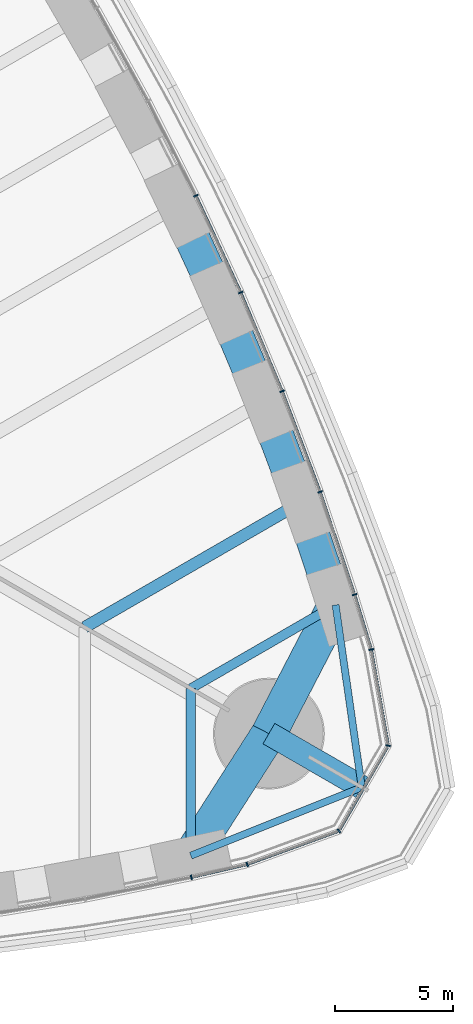
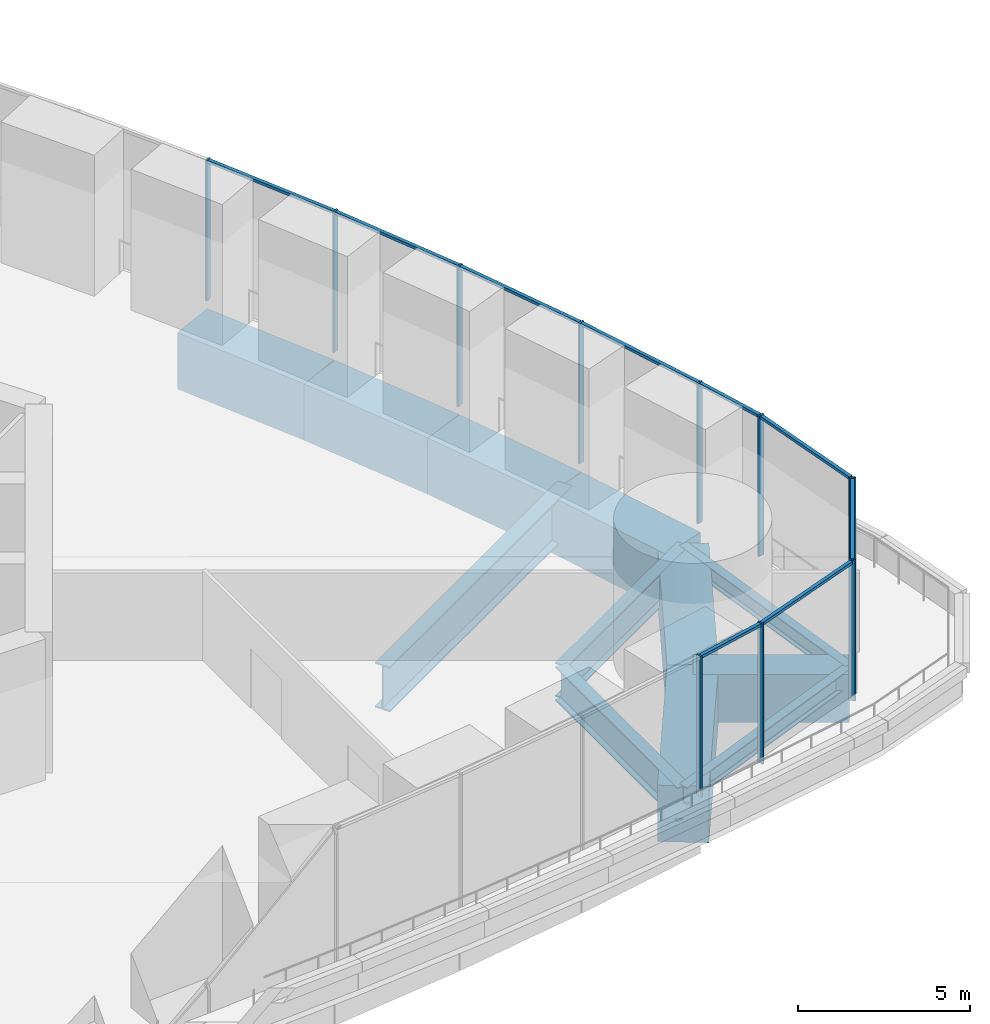
# One storey, part 10 of 33: 19 members, 12 beams, 3 elements without a shape of their own.
"""IFC4 building model written with IfcOpenShell, lengths in metres."""

from ifc_helpers import new_model, si_unit, direction, frame, origin, origin_2d, place, context, subcontext, project, spatial, rectangle, i_section, extrude, material, material_profile, profile_set, type_object, element, aggregate, save


model = new_model("IFC4")

# Units and contexts
model_context = context("Model", 3, precision=1e-05, world=origin(), true_north=direction((0.0, 1.0)))
body_context = subcontext(model_context, "Body", "Model", "MODEL_VIEW")
ifc_project = project(units=[si_unit("LENGTHUNIT", "METRE"), si_unit("AREAUNIT", "SQUARE_METRE"), si_unit("VOLUMEUNIT", "CUBIC_METRE"), si_unit("PLANEANGLEUNIT", "RADIAN"), si_unit("MASSUNIT", "GRAM", prefix="KILO")], contexts=[model_context])

# Site, building, storey
site_placement = place(None, origin())
site = spatial("IfcSite", under=ifc_project, at=site_placement, CompositionType="ELEMENT")
building_placement = place(site_placement, origin())
building = spatial("IfcBuilding", under=site, at=building_placement, Name="Trefoil Bronze Tower", CompositionType="ELEMENT")
storey_placement = place(building_placement, frame((0.0, 0.0, 98.10009765625)))
storey = spatial("IfcBuildingStorey", under=building, at=storey_placement, Name="L22", CompositionType="ELEMENT", Elevation=98.10009765625)

# Curtain wall, members
ifc_material_1 = material(Name="Tinted solar-control glass", Category="glass")
curtain_wall_type_1 = type_object("IfcCurtainWallType", Name="Bronze rounded corner curtain wall", PredefinedType="USERDEFINED", material=ifc_material_1)
curtain_wall_1_placement = place(storey_placement, origin())
curtain_wall_1 = element("IfcCurtainWall", 1, at=curtain_wall_1_placement, inside=storey, type_object=curtain_wall_type_1, Name="CW-B L22 K1", ObjectType="CURTAIN WALL", PredefinedType="USERDEFINED")
ifc_material_2 = material(Name="Bronze-finish aluminium", Category="aluminium")
ifc_material_profile_1 = material_profile(ifc_material_2, rectangle(XDim=0.199951171875, YDim=0.06005859375, at=origin_2d()), Name="CW-B mullion")
ifc_profile_set_1 = profile_set([ifc_material_profile_1], Name="Bronze-finish aluminium")
member_type_1 = type_object("IfcMemberType", Name="Bronze rounded corner curtain wall mullion", PredefinedType="MULLION", material=ifc_profile_set_1)
member_1_placement = place(storey_placement, frame((29.391845703125, -23.043701171875, 0.0), z_axis=(0.0, 0.0, 1.0), x_axis=(-0.342020143326, 0.939692620786, 0.0)))
member_1 = element("IfcMember", 2, at=member_1_placement, type_object=member_type_1, Name="CW-B L22 K1 mullion 1", PredefinedType="MULLION", context=body_context, shape_type="SweptSolid", body=[
    extrude(rectangle(XDim=0.199951171875, YDim=0.06005859375, at=origin_2d()), origin(), (0.0, 0.0, 1.0), 4.97998046875),
])
member_2_placement = place(storey_placement, frame((33.27880859375, -21.62255859375, 0.0), z_axis=(0.0, 0.0, 1.0), x_axis=(-0.642787609687, 0.766044443119, 0.0)))
member_2 = element("IfcMember", 3, at=member_2_placement, type_object=member_type_1, Name="CW-B L22 K1 mullion 2", PredefinedType="MULLION", context=body_context, shape_type="SweptSolid", body=[
    extrude(rectangle(XDim=0.199951171875, YDim=0.06005859375, at=origin_2d()), origin(), (0.0, 0.0, 1.0), 4.97998046875),
])
member_3_placement = place(storey_placement, frame((35.364990234375, -18.009033203125, 0.0), z_axis=(0.0, 0.0, 1.0), x_axis=(-0.984807753012, 0.173648177667, 0.0)))
member_3 = element("IfcMember", 4, at=member_3_placement, type_object=member_type_1, Name="CW-B L22 K1 mullion 3", PredefinedType="MULLION", context=body_context, shape_type="SweptSolid", body=[
    extrude(rectangle(XDim=0.199951171875, YDim=0.06005859375, at=origin_2d()), origin(), (0.0, 0.0, 1.0), 4.97998046875),
])
member_4_placement = place(storey_placement, frame((34.65234375, -13.932373046875, 0.0), z_axis=(0.0, 0.0, 1.0), x_axis=(-0.984807753012, -0.173648177667, 0.0)))
member_4 = element("IfcMember", 5, at=member_4_placement, type_object=member_type_1, Name="CW-B L22 K1 mullion 4", PredefinedType="MULLION", context=body_context, shape_type="SweptSolid", body=[
    extrude(rectangle(XDim=0.199951171875, YDim=0.06005859375, at=origin_2d()), origin(), (0.0, 0.0, 1.0), 4.97998046875),
])
ifc_material_3 = material(Name="Bronze-finish aluminium", Category="aluminium")
ifc_material_profile_2 = material_profile(ifc_material_3, rectangle(XDim=0.1201171875, YDim=0.10009765625, at=origin_2d()), Name="CW-B transom")
ifc_profile_set_2 = profile_set([ifc_material_profile_2], Name="Bronze-finish aluminium")
member_type_2 = type_object("IfcMemberType", Name="Bronze rounded corner curtain wall transom", PredefinedType="USERDEFINED", material=ifc_profile_set_2)
member_5_placement = place(storey_placement, frame((29.420166015625, -23.033447265625, 4.929931640625), z_axis=(0.939684096629, 0.342043562347, 0.0), x_axis=(-0.342043562347, 0.939684096629, 0.0)))
member_5 = element("IfcMember", 6, at=member_5_placement, type_object=member_type_2, Name="CW-B L22 K1 transom 1", ObjectType="TRANSOM", PredefinedType="USERDEFINED", context=body_context, shape_type="SweptSolid", body=[
    extrude(rectangle(XDim=0.1201171875, YDim=0.10009765625, at=origin_2d()), origin(), (0.0, 0.0, 1.0), 4.044189453125),
])
member_6_placement = place(storey_placement, frame((33.31591796875, -21.570068359375, 4.929931640625), z_axis=(0.500015078168, 0.866016698225, 0.0), x_axis=(-0.866016698225, 0.500015078168, 0.0)))
member_6 = element("IfcMember", 7, at=member_6_placement, type_object=member_type_2, Name="CW-B L22 K1 transom 2", ObjectType="TRANSOM", PredefinedType="USERDEFINED", context=body_context, shape_type="SweptSolid", body=[
    extrude(rectangle(XDim=0.1201171875, YDim=0.10009765625, at=origin_2d()), origin(), (0.0, 0.0, 1.0), 4.04443359375),
])
member_7_placement = place(storey_placement, frame((35.35986328125, -17.944580078125, 4.929931640625), z_axis=(-0.173682016639, 0.984801785689, 0.0), x_axis=(-0.984801785689, -0.173682016639, 0.0)))
member_7 = element("IfcMember", 8, at=member_7_placement, type_object=member_type_2, Name="CW-B L22 K1 transom 3", ObjectType="TRANSOM", PredefinedType="USERDEFINED", context=body_context, shape_type="SweptSolid", body=[
    extrude(rectangle(XDim=0.1201171875, YDim=0.10009765625, at=origin_2d()), origin(), (0.0, 0.0, 1.0), 4.044189453125),
])
aggregate(curtain_wall_1, [member_1, member_2, member_3, member_4, member_5, member_6, member_7])

# Curtain wall, member
ifc_material_4 = material(Name="Tinted solar-control glass", Category="glass")
curtain_wall_type_2 = type_object("IfcCurtainWallType", Name="Bronze sky lobby curtain wall", PredefinedType="USERDEFINED", material=ifc_material_4)
curtain_wall_2_placement = place(storey_placement, origin())
curtain_wall_2 = element("IfcCurtainWall", 9, at=curtain_wall_2_placement, inside=storey, type_object=curtain_wall_type_2, Name="CW-D L22 F1", ObjectType="CURTAIN WALL", PredefinedType="USERDEFINED")
ifc_material_5 = material(Name="Bronze-finish aluminium", Category="aluminium")
ifc_material_profile_3 = material_profile(ifc_material_5, rectangle(XDim=0.199951171875, YDim=0.06005859375, at=origin_2d()), Name="CW-D mullion")
ifc_profile_set_3 = profile_set([ifc_material_profile_3], Name="Bronze-finish aluminium")
member_type_3 = type_object("IfcMemberType", Name="Bronze sky lobby curtain wall mullion", PredefinedType="MULLION", material=ifc_profile_set_3)
member_8_placement = place(storey_placement, frame((27.021240234375, -23.593505859375, 0.0), z_axis=(0.0, 0.0, 1.0), x_axis=(-0.21197042503, 0.977276081214, 0.0)))
member_8 = element("IfcMember", 10, at=member_8_placement, type_object=member_type_3, Name="CW-D L22 F1 mullion 14", PredefinedType="MULLION", context=body_context, shape_type="SweptSolid", body=[
    extrude(rectangle(XDim=0.199951171875, YDim=0.06005859375, at=origin_2d()), origin(), (0.0, 0.0, 1.0), 4.97998046875),
])

# Curtain wall, members
curtain_wall_3_placement = place(storey_placement, origin())
curtain_wall_3 = element("IfcCurtainWall", 11, at=curtain_wall_3_placement, inside=storey, type_object=curtain_wall_type_2, Name="CW-D L22 F2", ObjectType="CURTAIN WALL", PredefinedType="USERDEFINED")
member_9_placement = place(storey_placement, frame((33.943115234375, -11.604248046875, 0.0), z_axis=(0.0, 0.0, 1.0), x_axis=(-0.952331125357, -0.30506626768, 0.0)))
member_9 = element("IfcMember", 12, at=member_9_placement, type_object=member_type_3, Name="CW-D L22 F2 mullion 2", PredefinedType="MULLION", context=body_context, shape_type="SweptSolid", body=[
    extrude(rectangle(XDim=0.199951171875, YDim=0.06005859375, at=origin_2d()), origin(), (0.0, 0.0, 1.0), 4.97998046875),
])
member_10_placement = place(storey_placement, frame((32.480224609375, -7.2490234375, 0.0), z_axis=(0.0, 0.0, 1.0), x_axis=(-0.94196250502, -0.335718094742, 0.0)))
member_10 = element("IfcMember", 13, at=member_10_placement, type_object=member_type_3, Name="CW-D L22 F2 mullion 3", PredefinedType="MULLION", context=body_context, shape_type="SweptSolid", body=[
    extrude(rectangle(XDim=0.199951171875, YDim=0.06005859375, at=origin_2d()), origin(), (0.0, 0.0, 1.0), 4.97998046875),
])
member_11_placement = place(storey_placement, frame((30.86962890625, -2.978759765625, 0.0), z_axis=(0.0, 0.0, 1.0), x_axis=(-0.929071242848, -0.369900832269, 0.0)))
member_11 = element("IfcMember", 14, at=member_11_placement, type_object=member_type_3, Name="CW-D L22 F2 mullion 4", PredefinedType="MULLION", context=body_context, shape_type="SweptSolid", body=[
    extrude(rectangle(XDim=0.199951171875, YDim=0.06005859375, at=origin_2d()), origin(), (0.0, 0.0, 1.0), 4.97998046875),
])
member_12_placement = place(storey_placement, frame((29.11376953125, 1.2080078125, 0.0), z_axis=(0.0, 0.0, 1.0), x_axis=(-0.915018269914, -0.40341240155, 0.0)))
member_12 = element("IfcMember", 15, at=member_12_placement, type_object=member_type_3, Name="CW-D L22 F2 mullion 5", PredefinedType="MULLION", context=body_context, shape_type="SweptSolid", body=[
    extrude(rectangle(XDim=0.199951171875, YDim=0.06005859375, at=origin_2d()), origin(), (0.0, 0.0, 1.0), 4.97998046875),
])
member_13_placement = place(storey_placement, frame((27.21484375, 5.311767578125, 0.0), z_axis=(0.0, 0.0, 1.0), x_axis=(-0.899819602033, -0.436262173236, 0.0)))
member_13 = element("IfcMember", 16, at=member_13_placement, type_object=member_type_3, Name="CW-D L22 F2 mullion 6", PredefinedType="MULLION", context=body_context, shape_type="SweptSolid", body=[
    extrude(rectangle(XDim=0.199951171875, YDim=0.06005859375, at=origin_2d()), origin(), (0.0, 0.0, 1.0), 4.97998046875),
])

# Member
ifc_material_6 = material(Name="Bronze-finish aluminium", Category="aluminium")
ifc_material_profile_4 = material_profile(ifc_material_6, rectangle(XDim=0.1201171875, YDim=0.10009765625, at=origin_2d()), Name="CW-D transom")
ifc_profile_set_4 = profile_set([ifc_material_profile_4], Name="Bronze-finish aluminium")
member_type_4 = type_object("IfcMemberType", Name="Bronze sky lobby curtain wall transom", PredefinedType="USERDEFINED", material=ifc_profile_set_4)
member_14_placement = place(storey_placement, frame((27.0517578125, -23.58642578125, 4.929931640625), z_axis=(0.97421831133, 0.22560736218, 0.0), x_axis=(-0.22560736218, 0.97421831133, 0.0)))
member_14 = element("IfcMember", 17, at=member_14_placement, type_object=member_type_4, Name="CW-D L22 F1 transom 14", ObjectType="TRANSOM", PredefinedType="USERDEFINED", context=body_context, shape_type="SweptSolid", body=[
    extrude(rectangle(XDim=0.1201171875, YDim=0.10009765625, at=origin_2d()), origin(), (0.0, 0.0, 1.0), 2.360107421875),
])

aggregate(curtain_wall_2, [member_8, member_14])

member_15_placement = place(storey_placement, frame((34.640869140625, -13.891845703125, 4.929931640625), z_axis=(-0.291700781819, 0.956509620383, 0.0), x_axis=(-0.956509620383, -0.291700781819, 0.0)))
member_15 = element("IfcMember", 18, at=member_15_placement, type_object=member_type_4, Name="CW-D L22 F2 transom 1", ObjectType="TRANSOM", PredefinedType="USERDEFINED", context=body_context, shape_type="SweptSolid", body=[
    extrude(rectangle(XDim=0.1201171875, YDim=0.10009765625, at=origin_2d()), origin(), (0.0, 0.0, 1.0), 2.360107421875),
])

member_16_placement = place(storey_placement, frame((33.93310546875, -11.574462890625, 4.929931640625), z_axis=(-0.318393027309, 0.947958796658, 0.0), x_axis=(-0.947958796658, -0.318393027309, 0.0)))
member_16 = element("IfcMember", 19, at=member_16_placement, type_object=member_type_4, Name="CW-D L22 F2 transom 2", ObjectType="TRANSOM", PredefinedType="USERDEFINED", context=body_context, shape_type="SweptSolid", body=[
    extrude(rectangle(XDim=0.1201171875, YDim=0.10009765625, at=origin_2d()), origin(), (0.0, 0.0, 1.0), 4.531005859375),
])

member_17_placement = place(storey_placement, frame((32.46923828125, -7.21923828125, 4.929931640625), z_axis=(-0.35294793935, 0.935642961876, 0.0), x_axis=(-0.935642961876, -0.35294793935, 0.0)))
member_17 = element("IfcMember", 20, at=member_17_placement, type_object=member_type_4, Name="CW-D L22 F2 transom 3", ObjectType="TRANSOM", PredefinedType="USERDEFINED", context=body_context, shape_type="SweptSolid", body=[
    extrude(rectangle(XDim=0.1201171875, YDim=0.10009765625, at=origin_2d()), origin(), (0.0, 0.0, 1.0), 4.500244140625),
])

member_18_placement = place(storey_placement, frame((30.857421875, -2.94921875, 4.929931640625), z_axis=(-0.386817949175, 0.922156100775, 0.0), x_axis=(-0.922156100775, -0.386817949175, 0.0)))
member_18 = element("IfcMember", 21, at=member_18_placement, type_object=member_type_4, Name="CW-D L22 F2 transom 4", ObjectType="TRANSOM", PredefinedType="USERDEFINED", context=body_context, shape_type="SweptSolid", body=[
    extrude(rectangle(XDim=0.1201171875, YDim=0.10009765625, at=origin_2d()), origin(), (0.0, 0.0, 1.0), 4.47607421875),
])

member_19_placement = place(storey_placement, frame((29.100341796875, 1.23681640625, 4.929931640625), z_axis=(-0.419912273595, 0.907564698787, 0.0), x_axis=(-0.907564698787, -0.419912273595, 0.0)))
member_19 = element("IfcMember", 22, at=member_19_placement, type_object=member_type_4, Name="CW-D L22 F2 transom 5", ObjectType="TRANSOM", PredefinedType="USERDEFINED", context=body_context, shape_type="SweptSolid", body=[
    extrude(rectangle(XDim=0.1201171875, YDim=0.10009765625, at=origin_2d()), origin(), (0.0, 0.0, 1.0), 4.458251953125),
])

aggregate(curtain_wall_3, [member_9, member_10, member_11, member_12, member_13, member_15, member_16, member_17, member_18, member_19])

# Beams
ifc_material_7 = material(Name="Concrete B80", Category="concrete")
ifc_material_profile_5 = material_profile(ifc_material_7, rectangle(XDim=1.0, YDim=1.699951171875, at=origin_2d()), Name="RC 1000x1700")
ifc_profile_set_5 = profile_set([ifc_material_profile_5], Name="Concrete B80")
beam_type_1 = type_object("IfcBeamType", Name="Corner cantilever RC 1000x1700", PredefinedType="BEAM", material=ifc_profile_set_5)
beam_1_placement = place(storey_placement, frame((30.310791015625, -17.5, -1.050048828125), z_axis=(0.866031878637, -0.499988785058, 0.0), x_axis=(0.499988785058, 0.866031878637, 0.0)))
element("IfcBeam", 23, at=beam_1_placement, inside=storey, type_object=beam_type_1, Name="Corner cantilever K1 L22", PredefinedType="BEAM", context=body_context, shape_type="SweptSolid", body=[
    extrude(rectangle(XDim=1.0, YDim=1.699951171875, at=origin_2d()), origin(), (0.0, 0.0, 1.0), 4.54931640625),
])
ifc_material_8 = material(Name="Steel C355", Category="steel")
ifc_material_profile_6 = material_profile(ifc_material_8, i_section(OverallWidth=0.300048828125, OverallDepth=0.60009765625, WebThickness=0.015380859375, FlangeThickness=0.030029296875, FilletRadius=0.027099609375, at=origin_2d()), Name="HEB 600")
ifc_profile_set_6 = profile_set([ifc_material_profile_6], Name="Steel C355")
beam_type_2 = type_object("IfcBeamType", Name="Corner edge beam HEB 600", PredefinedType="BEAM", material=ifc_profile_set_6)
for number, where, z_axis, x_axis, name in (
    (24, (27.0, -22.67724609375, -0.5), (0.928375332495, 0.371643972122, 0.0), (-0.371643972122, 0.928375332495, 0.0), "Corner edge beam F1A L22"),
    (25, (33.13916015625, -12.044189453125, -0.5), (0.142327214588, -0.989819662357, 0.0), (0.989819662357, 0.142327214588, 0.0), "Corner edge beam F2B L22"),
):
    element("IfcBeam", number, at=place(storey_placement, frame(where, z_axis=z_axis, x_axis=x_axis)), inside=storey, type_object=beam_type_2, Name=name, PredefinedType="BEAM", context=body_context, shape_type="SweptSolid", body=[
        extrude(i_section(OverallWidth=0.300048828125, OverallDepth=0.60009765625, WebThickness=0.015380859375, FlangeThickness=0.030029296875, FilletRadius=0.027099609375, at=origin_2d()), origin(), (0.0, 0.0, 1.0), 7.81005859375),
    ])
ifc_material_9 = material(Name="Concrete B80", Category="concrete")
ifc_material_profile_7 = material_profile(ifc_material_9, rectangle(XDim=1.5, YDim=2.0, at=origin_2d()), Name="RC 1500x2000")
ifc_profile_set_7 = profile_set([ifc_material_profile_7], Name="Concrete B80")
beam_type_3 = type_object("IfcBeamType", Name="End spandrel beam RC 1500x2000", PredefinedType="SPANDREL", material=ifc_profile_set_7)
for number, where, z_axis, x_axis, name in (
    (26, (27.0, -22.67724609375, -1.2001953125), (0.53874814953, 0.84246687257, 0.0), (-0.84246687257, 0.53874814953, 0.0), "Spandrel F1.14 L22"),
    (27, (30.310791015625, -17.5, -1.2001953125), (0.460244107083, 0.887792409235, 0.0), (-0.887792409235, 0.460244107083, 0.0), "Spandrel F2.1 L22"),
):
    element("IfcBeam", number, at=place(storey_placement, frame(where, z_axis=z_axis, x_axis=x_axis)), inside=storey, type_object=beam_type_3, Name=name, PredefinedType="SPANDREL", context=body_context, shape_type="SweptSolid", body=[
        extrude(rectangle(XDim=1.5, YDim=2.0, at=origin_2d()), origin(), (0.0, 0.0, 1.0), 6.145263671875),
    ])
ifc_material_10 = material(Name="Steel C355", Category="steel")
ifc_material_profile_8 = material_profile(ifc_material_10, i_section(OverallWidth=0.39990234375, OverallDepth=1.199951171875, WebThickness=0.02001953125, FlangeThickness=0.0400390625, FilletRadius=0.010009765625, at=origin_2d()), Name="WPG 1200")
ifc_profile_set_8 = profile_set([ifc_material_profile_8], Name="Steel C355")
beam_type_4 = type_object("IfcBeamType", Name="Floor beam WPG 1200", PredefinedType="BEAM", material=ifc_profile_set_8)
for number, where, z_axis, x_axis, name in (
    (28, (27.0, -22.67724609375, -0.800048828125), (0.0, 1.0, 0.0), (-1.0, 0.0, 0.0), "Floor beam F1/+6 L22"),
    (29, (33.13916015625, -12.044189453125, -0.800048828125), (-0.866041060244, -0.499972881236, 0.0), (0.499972881236, -0.866041060244, 0.0), "Floor beam F2/-6 L22"),
):
    element("IfcBeam", number, at=place(storey_placement, frame(where, z_axis=z_axis, x_axis=x_axis)), inside=storey, type_object=beam_type_4, Name=name, PredefinedType="BEAM", context=body_context, shape_type="SweptSolid", body=[
        extrude(i_section(OverallWidth=0.39990234375, OverallDepth=1.199951171875, WebThickness=0.02001953125, FlangeThickness=0.0400390625, FilletRadius=0.010009765625, at=origin_2d()), origin(), (0.0, 0.0, 1.0), 7.0888671875),
    ])
ifc_material_11 = material(Name="Steel C355", Category="steel")
ifc_material_profile_9 = material_profile(ifc_material_11, i_section(OverallWidth=0.5, OverallDepth=1.60009765625, WebThickness=0.02587890625, FlangeThickness=0.050048828125, FilletRadius=0.011962890625, at=origin_2d()), Name="WPG 1600")
ifc_profile_set_9 = profile_set([ifc_material_profile_9], Name="Steel C355")
beam_type_5 = type_object("IfcBeamType", Name="Floor beam WPG 1600", PredefinedType="BEAM", material=ifc_profile_set_9)
beam_2_placement = place(storey_placement, frame((31.681884765625, -7.689208984375, -1.0), z_axis=(-0.866021079084, -0.500007490527, 0.0), x_axis=(0.500007490527, -0.866021079084, 0.0)))
element("IfcBeam", 30, at=beam_2_placement, inside=storey, type_object=beam_type_5, Name="Floor beam F2/-5 L22", PredefinedType="BEAM", context=body_context, shape_type="SweptSolid", body=[
    extrude(i_section(OverallWidth=0.5, OverallDepth=1.60009765625, WebThickness=0.02587890625, FlangeThickness=0.050048828125, FilletRadius=0.011962890625, at=origin_2d()), origin(), (0.0, 0.0, 1.0), 10.602294921875),
])
ifc_material_12 = material(Name="Concrete B80", Category="concrete")
ifc_material_profile_10 = material_profile(ifc_material_12, rectangle(XDim=1.5, YDim=2.0, at=origin_2d()), Name="RC 1500x2000")
ifc_profile_set_10 = profile_set([ifc_material_profile_10], Name="Concrete B80")
beam_type_6 = type_object("IfcBeamType", Name="Spandrel beam RC 1500x2000", PredefinedType="SPANDREL", material=ifc_profile_set_10)
beam_3_placement = place(storey_placement, frame((33.13916015625, -12.044189453125, -1.2001953125), z_axis=(-0.31732802068, 0.948315837309, 0.0), x_axis=(-0.948315837309, -0.31732802068, 0.0)))
element("IfcBeam", 31, at=beam_3_placement, inside=storey, type_object=beam_type_6, Name="Spandrel F2.2 L22", PredefinedType="SPANDREL", context=body_context, shape_type="SweptSolid", body=[
    extrude(rectangle(XDim=1.5, YDim=2.0, at=origin_2d()), origin(), (0.0, 0.0, 1.0), 4.59228515625),
])
beam_4_placement = place(storey_placement, frame((31.681884765625, -7.689208984375, -1.2001953125), z_axis=(-0.351938675523, 0.936023059904, 0.0), x_axis=(-0.936023059904, -0.351938675523, 0.0)))
element("IfcBeam", 32, at=beam_4_placement, inside=storey, type_object=beam_type_6, Name="Spandrel F2.3 L22", PredefinedType="SPANDREL", context=body_context, shape_type="SweptSolid", body=[
    extrude(rectangle(XDim=1.5, YDim=2.0, at=origin_2d()), origin(), (0.0, 0.0, 1.0), 4.56103515625),
])
beam_5_placement = place(storey_placement, frame((30.07666015625, -3.419921875, -1.2001953125), z_axis=(-0.386013490858, 0.922493135408, 0.0), x_axis=(-0.922493135408, -0.386013490858, 0.0)))
element("IfcBeam", 33, at=beam_5_placement, inside=storey, type_object=beam_type_6, Name="Spandrel F2.4 L22", PredefinedType="SPANDREL", context=body_context, shape_type="SweptSolid", body=[
    extrude(rectangle(XDim=1.5, YDim=2.0, at=origin_2d()), origin(), (0.0, 0.0, 1.0), 4.53662109375),
])
beam_6_placement = place(storey_placement, frame((28.325439453125, 0.76513671875, -1.2001953125), z_axis=(-0.419424747755, 0.907790108434, 0.0), x_axis=(-0.907790108434, -0.419424747755, 0.0)))
element("IfcBeam", 34, at=beam_6_placement, inside=storey, type_object=beam_type_6, Name="Spandrel F2.5 L22", PredefinedType="SPANDREL", context=body_context, shape_type="SweptSolid", body=[
    extrude(rectangle(XDim=1.5, YDim=2.0, at=origin_2d()), origin(), (0.0, 0.0, 1.0), 4.518798828125),
])

save(model, "model.ifc")
